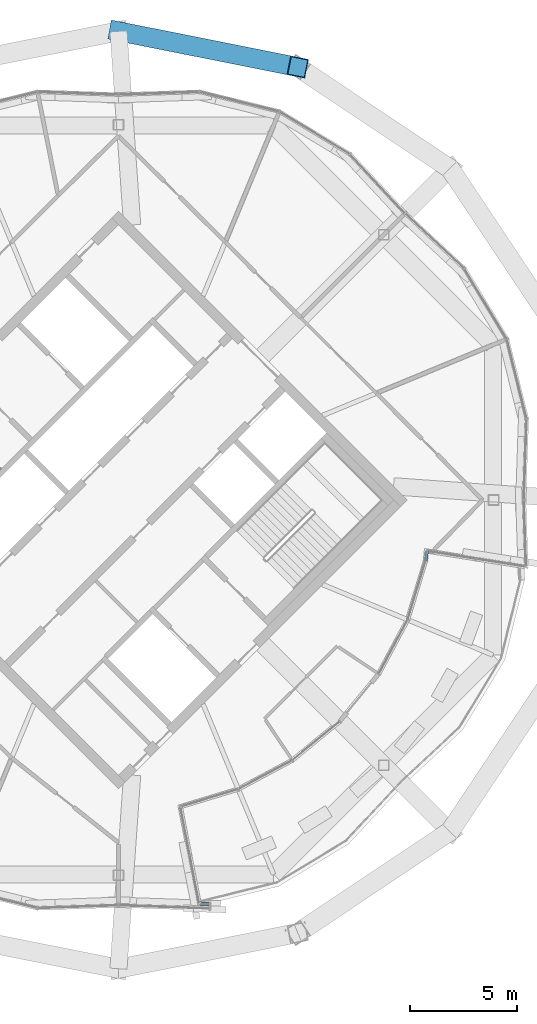
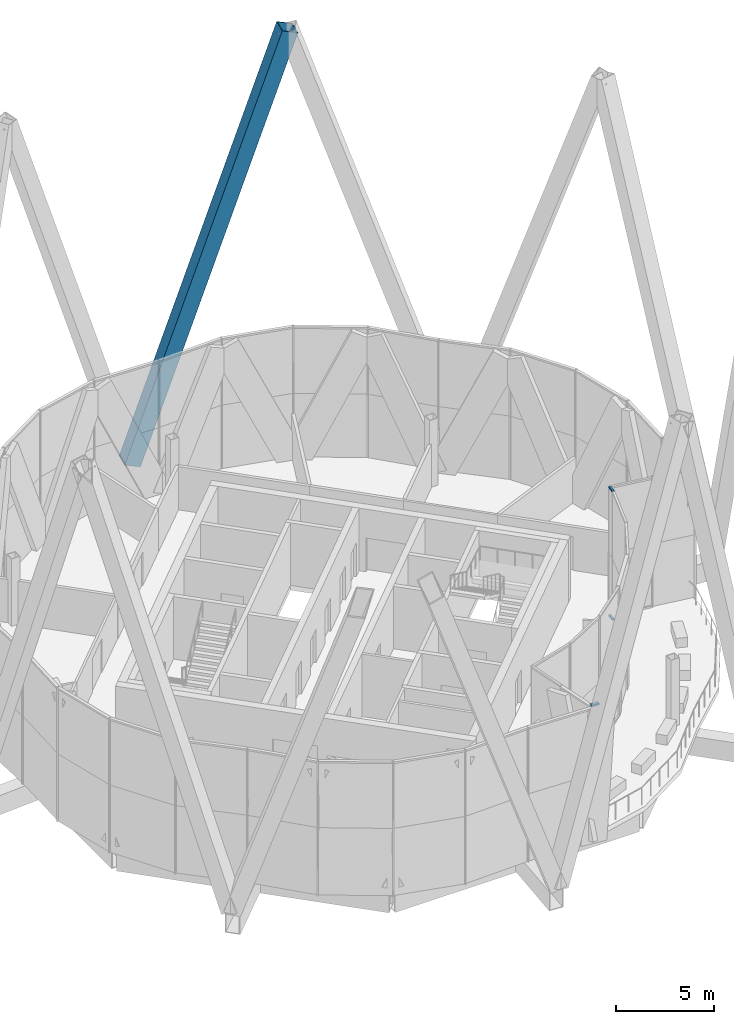
# One storey, part 25 of 38: 4 members, 2 elements without a shape of their own.
"""IFC4 building model written with IfcOpenShell, lengths in metres."""

from ifc_helpers import new_model, si_unit, direction, frame, origin, origin_2d, place, context, subcontext, project, spatial, rectangle, hollow_rectangle, extrude, material, material_profile, profile_set, type_object, element, aggregate, save


model = new_model("IFC4")

# Units and contexts
model_context = context("Model", 3, precision=1e-05, world=origin(), true_north=direction((0.0, 1.0)))
body_context = subcontext(model_context, "Body", "Model", "MODEL_VIEW")
ifc_project = project(units=[si_unit("LENGTHUNIT", "METRE"), si_unit("AREAUNIT", "SQUARE_METRE"), si_unit("VOLUMEUNIT", "CUBIC_METRE"), si_unit("PLANEANGLEUNIT", "RADIAN"), si_unit("MASSUNIT", "GRAM", prefix="KILO")], contexts=[model_context])

# Site, building, storey
site_placement = place(None, origin())
site = spatial("IfcSite", under=ifc_project, at=site_placement, CompositionType="ELEMENT")
building_placement = place(site_placement, origin())
building = spatial("IfcBuilding", under=site, at=building_placement, Name="Ogive Gate Towers", CompositionType="ELEMENT")
storey_placement = place(building_placement, frame((0.0, 0.0, 268.800048828125)))
storey = spatial("IfcBuildingStorey", under=building, at=storey_placement, Name="L63", CompositionType="ELEMENT", Elevation=268.800048828125)

# Member
ifc_material_1 = material(Name="Steel SM460", Category="steel")
ifc_material_profile_1 = material_profile(ifc_material_1, hollow_rectangle(XDim=0.89990234375, YDim=0.89990234375, WallThickness=0.0400390625, at=origin_2d()), Name="BX 900x900x40")
ifc_profile_set_1 = profile_set([ifc_material_profile_1], Name="Steel SM460")
member_type_1 = type_object("IfcMemberType", Name="Diagrid diagonal BX 900x900x40", PredefinedType="BRACE", material=ifc_profile_set_1)
member_1_placement = place(storey_placement, frame((36.0, 21.81005859375, 0.0), z_axis=(0.313729069492, -0.062591606684, 0.947447287045), x_axis=(0.195652622636, 0.980673264271, 0.0)))
element("IfcMember", 1, at=member_1_placement, inside=storey, type_object=member_type_1, Name="T2/L63/SDG005", PredefinedType="BRACE", context=body_context, shape_type="SweptSolid", body=[
    extrude(hollow_rectangle(XDim=0.89990234375, YDim=0.89990234375, WallThickness=0.0400390625, at=origin_2d()), origin(), (0.0, 0.0, 1.0), 26.59765625),
])

# Curtain wall, members
ifc_material_2 = material(Name="Pale metal aluminium", Category="aluminium")
curtain_wall_type_1 = type_object("IfcCurtainWallType", Name="Sky garden glazing", PredefinedType="NOTDEFINED", material=ifc_material_2)
curtain_wall_1_placement = place(storey_placement, origin())
curtain_wall_1 = element("IfcCurtainWall", 2, at=curtain_wall_1_placement, inside=storey, type_object=curtain_wall_type_1, Name="CW4 T2 ECW02", PredefinedType="NOTDEFINED")
ifc_material_profile_2 = material_profile(ifc_material_2, rectangle(XDim=0.1201171875, YDim=0.10009765625, at=origin_2d()), Name="100 x 120 aluminium box")
ifc_profile_set_2 = profile_set([ifc_material_profile_2], Name="Pale metal aluminium")
member_type_2 = type_object("IfcMemberType", Name="Sky garden glazing transom 100 x 120", PredefinedType="USERDEFINED", material=ifc_profile_set_2)
member_2_placement = place(storey_placement, frame((50.364501953125, -2.399169921875, 8.050048828125), z_axis=(-0.098244823945, -0.995162275495, 0.0), x_axis=(0.995162275495, -0.098244823945, 0.0)))
member_2 = element("IfcMember", 3, at=member_2_placement, type_object=member_type_2, Name="CW4 transom", ObjectType="TRANSOM", PredefinedType="USERDEFINED", context=body_context, shape_type="SweptSolid", body=[
    extrude(rectangle(XDim=0.1201171875, YDim=0.10009765625, at=origin_2d()), origin(), (0.0, 0.0, 1.0), 0.42236328125),
])
member_3_placement = place(storey_placement, frame((50.364501953125, -2.399169921875, 0.050048828125), z_axis=(-0.098244823945, -0.995162275495, 0.0), x_axis=(0.995162275495, -0.098244823945, 0.0)))
member_3 = element("IfcMember", 4, at=member_3_placement, type_object=member_type_2, Name="CW4 transom", ObjectType="TRANSOM", PredefinedType="USERDEFINED", context=body_context, shape_type="SweptSolid", body=[
    extrude(rectangle(XDim=0.1201171875, YDim=0.10009765625, at=origin_2d()), origin(), (0.0, 0.0, 1.0), 0.42236328125),
])
aggregate(curtain_wall_1, [member_2, member_3])

# Curtain wall, member
curtain_wall_type_2 = type_object("IfcCurtainWallType", Name="Tower unitised wall, high zone", PredefinedType="NOTDEFINED", material=ifc_material_2)
curtain_wall_2_placement = place(storey_placement, origin())
curtain_wall_2 = element("IfcCurtainWall", 5, at=curtain_wall_2_placement, inside=storey, type_object=curtain_wall_type_2, Name="CW2 T2 ECW09", PredefinedType="NOTDEFINED")
ifc_material_profile_3 = material_profile(ifc_material_2, rectangle(XDim=0.179931640625, YDim=0.10009765625, at=origin_2d()), Name="100 x 180 aluminium box")
ifc_profile_set_3 = profile_set([ifc_material_profile_3], Name="Pale metal aluminium")
member_type_3 = type_object("IfcMemberType", Name="Tower unitised wall, high zone transom 100 x 180", PredefinedType="USERDEFINED", material=ifc_profile_set_3)
member_4_placement = place(storey_placement, frame((39.784423828125, -18.78076171875, 8.050048828125), z_axis=(0.999388348643, -0.034970396016, 0.0), x_axis=(0.034970396016, 0.999388348643, 0.0)))
member_4 = element("IfcMember", 6, at=member_4_placement, type_object=member_type_3, Name="CW2 transom", ObjectType="TRANSOM", PredefinedType="USERDEFINED", context=body_context, shape_type="SweptSolid", body=[
    extrude(rectangle(XDim=0.179931640625, YDim=0.10009765625, at=origin_2d()), origin(), (0.0, 0.0, 1.0), 0.44677734375),
])
aggregate(curtain_wall_2, [member_4])

save(model, "model.ifc")
